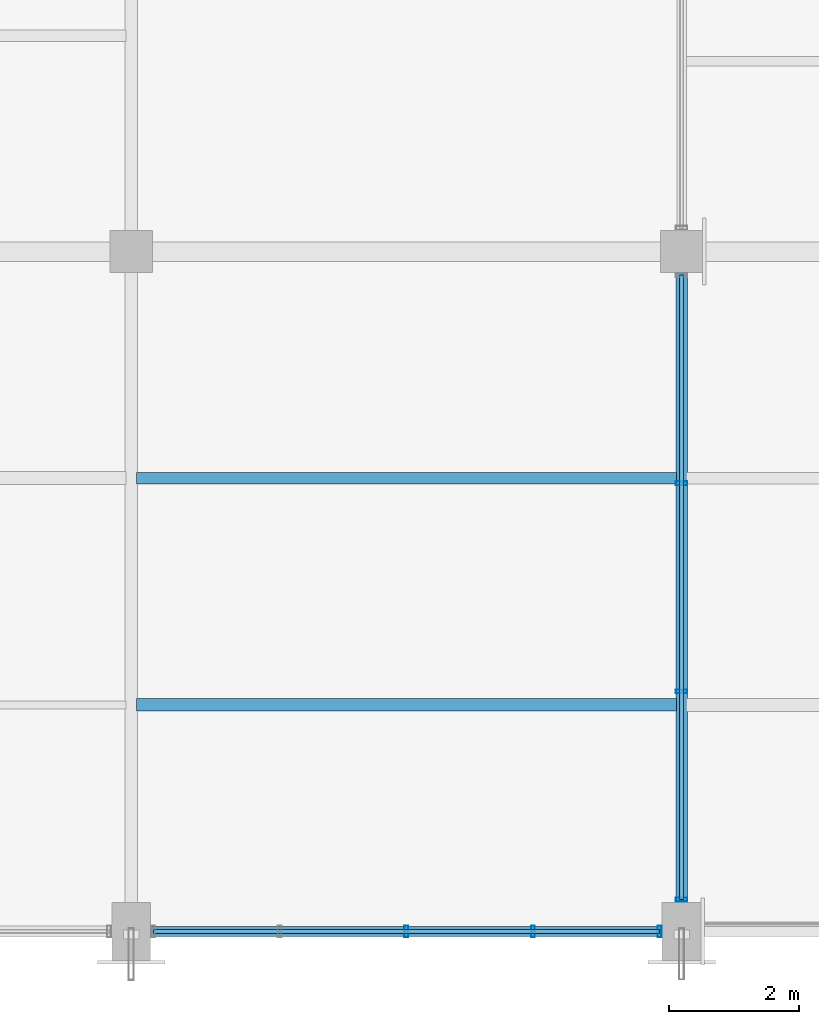
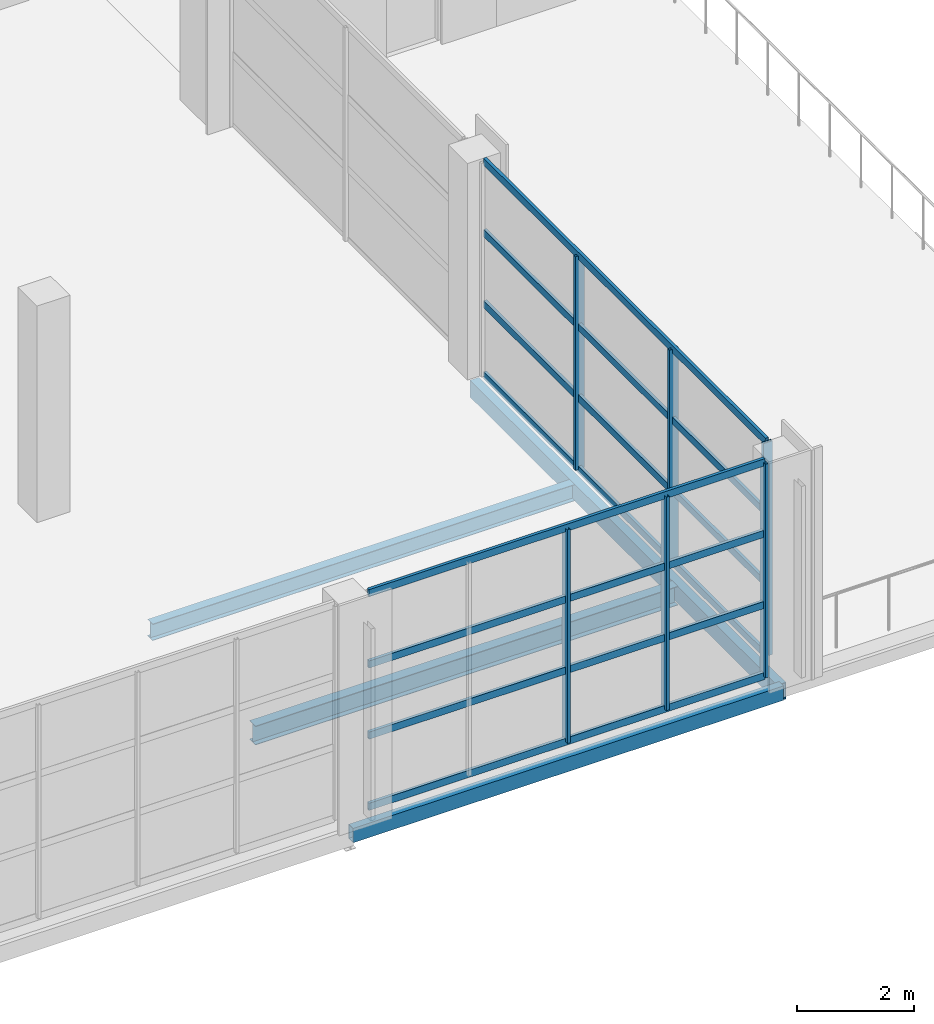
# One storey, part 31 of 86: 14 members, 4 beams, 2 elements without a shape of their own.
"""IFC4 building model written with IfcOpenShell, lengths in metres."""

from ifc_helpers import new_model, si_unit, direction, frame, origin, origin_2d, place, context, subcontext, project, spatial, hollow_rectangle, i_section, extrude, material, material_profile, profile_set, type_object, element, aggregate, save


model = new_model("IFC4")

# Units and contexts
model_context = context("Model", 3, precision=1e-05, world=origin(), true_north=direction((0.0, 1.0)))
body_context = subcontext(model_context, "Body", "Model", "MODEL_VIEW")
ifc_project = project(units=[si_unit("LENGTHUNIT", "METRE"), si_unit("AREAUNIT", "SQUARE_METRE"), si_unit("VOLUMEUNIT", "CUBIC_METRE"), si_unit("PLANEANGLEUNIT", "RADIAN"), si_unit("MASSUNIT", "GRAM", prefix="KILO")], contexts=[model_context])

# Site, building, storey
site_placement = place(None, origin())
site = spatial("IfcSite", under=ifc_project, at=site_placement, CompositionType="ELEMENT")
building_placement = place(site_placement, origin())
building = spatial("IfcBuilding", under=site, at=building_placement, Name="Solvikara Media Centre", CompositionType="ELEMENT")
storey_placement = place(building_placement, frame((0.0, 0.0, 15.0)))
storey = spatial("IfcBuildingStorey", under=building, at=storey_placement, Name="L03", CompositionType="ELEMENT", Elevation=15.0)

# Beams
ifc_material_1 = material(Name="Steel S355JR", Category="steel")
ifc_material_profile_1 = material_profile(ifc_material_1, hollow_rectangle(XDim=0.175048828125, YDim=0.35009765625, WallThickness=0.010009765625, at=origin_2d()), Name="RHS 350x175x10")
ifc_profile_set_1 = profile_set([ifc_material_profile_1], Name="Steel S355JR")
beam_type_1 = type_object("IfcBeamType", Name="BM-34", PredefinedType="SPANDREL", material=ifc_profile_set_1)
beam_1_placement = place(storey_placement, frame((68.0, 0.0, -0.45703125), z_axis=(0.0, 1.0, 0.0), x_axis=(-1.0, 0.0, 0.0)))
element("IfcBeam", 1, at=beam_1_placement, inside=storey, type_object=beam_type_1, Name="B-L03-Y1276", PredefinedType="SPANDREL", context=body_context, shape_type="SweptSolid", body=[
    extrude(hollow_rectangle(XDim=0.175048828125, YDim=0.35009765625, WallThickness=0.010009765625, at=origin_2d()), origin(), (0.0, 0.0, 1.0), 10.5),
])
ifc_material_profile_2 = material_profile(ifc_material_1, hollow_rectangle(XDim=0.14990234375, YDim=0.300048828125, WallThickness=0.010009765625, at=origin_2d()), Name="RHS 300x150x10")
ifc_profile_set_2 = profile_set([ifc_material_profile_2], Name="Steel S355JR")
beam_type_2 = type_object("IfcBeamType", Name="BM-35", PredefinedType="BEAM", material=ifc_profile_set_2)
beam_2_placement = place(storey_placement, frame((59.5, 0.0, -0.431884765625), z_axis=(1.0, 0.0, 0.0), x_axis=(0.0, 1.0, 0.0)))
element("IfcBeam", 2, at=beam_2_placement, inside=storey, type_object=beam_type_2, Name="B-L03-X1157", PredefinedType="BEAM", context=body_context, shape_type="SweptSolid", body=[
    extrude(hollow_rectangle(XDim=0.14990234375, YDim=0.300048828125, WallThickness=0.010009765625, at=origin_2d()), origin(), (0.0, 0.0, 1.0), 8.5),
])
ifc_material_profile_3 = material_profile(ifc_material_1, i_section(OverallWidth=0.198974609375, OverallDepth=0.39599609375, WebThickness=0.007080078125, FlangeThickness=0.010986328125, at=origin_2d()), Name="WF 396x199x7x11")
ifc_profile_set_3 = profile_set([ifc_material_profile_3], Name="Steel S355JR")
beam_type_3 = type_object("IfcBeamType", Name="BM-37", PredefinedType="JOIST", material=ifc_profile_set_3)
beam_3_placement = place(storey_placement, frame((59.577880859375, 3.5, -0.47998046875), z_axis=(1.0, 0.0, 0.0), x_axis=(0.0, 1.0, 0.0)))
element("IfcBeam", 3, at=beam_3_placement, inside=storey, type_object=beam_type_3, Name="J-L03-1397", PredefinedType="JOIST", context=body_context, shape_type="SweptSolid", body=[
    extrude(i_section(OverallWidth=0.198974609375, OverallDepth=0.39599609375, WebThickness=0.007080078125, FlangeThickness=0.010986328125, at=origin_2d()), origin(), (0.0, 0.0, 1.0), 8.34423828125),
])
ifc_material_profile_4 = material_profile(ifc_material_1, i_section(OverallWidth=0.174072265625, OverallDepth=0.345947265625, WebThickness=0.006103515625, FlangeThickness=0.009033203125, at=origin_2d()), Name="WF 346x174x6x9")
ifc_profile_set_4 = profile_set([ifc_material_profile_4], Name="Steel S355JR")
beam_type_4 = type_object("IfcBeamType", Name="BM-38", PredefinedType="JOIST", material=ifc_profile_set_4)
beam_4_placement = place(storey_placement, frame((59.577880859375, 7.0, -0.455078125), z_axis=(1.0, 0.0, 0.0), x_axis=(0.0, 1.0, 0.0)))
element("IfcBeam", 4, at=beam_4_placement, inside=storey, type_object=beam_type_4, Name="J-L03-1398", PredefinedType="JOIST", context=body_context, shape_type="SweptSolid", body=[
    extrude(i_section(OverallWidth=0.174072265625, OverallDepth=0.345947265625, WebThickness=0.006103515625, FlangeThickness=0.009033203125, at=origin_2d()), origin(), (0.0, 0.0, 1.0), 8.34423828125),
])

# Curtain wall, members
ifc_material_2 = material(Name="Anodised aluminium EN AW-6063", Category="aluminium")
curtain_wall_type_1 = type_object("IfcCurtainWallType", Name="CW-04", PredefinedType="NOTDEFINED", material=ifc_material_2)
curtain_wall_1_placement = place(storey_placement, origin())
curtain_wall_1 = element("IfcCurtainWall", 5, at=curtain_wall_1_placement, inside=storey, type_object=curtain_wall_type_1, Name="CW-L03-V6S-4", PredefinedType="NOTDEFINED")
ifc_material_profile_5 = material_profile(ifc_material_2, hollow_rectangle(XDim=0.06005859375, YDim=0.179931640625, WallThickness=0.00341796875, at=origin_2d()), Name="ALU-M 60x180x3.5")
ifc_profile_set_5 = profile_set([ifc_material_profile_5], Name="Anodised aluminium EN AW-6063")
member_type_1 = type_object("IfcMemberType", Name="MF-03", PredefinedType="MULLION", material=ifc_profile_set_5)
member_1_placement = place(storey_placement, frame((63.75, 0.0, 0.02001953125), z_axis=(0.0, 0.0, 1.0), x_axis=(1.0, 0.0, 0.0)))
member_1 = element("IfcMember", 6, at=member_1_placement, type_object=member_type_1, Name="CW-L03-V6S-4-M02", PredefinedType="MULLION", context=body_context, shape_type="SweptSolid", body=[
    extrude(hollow_rectangle(XDim=0.06005859375, YDim=0.179931640625, WallThickness=0.00341796875, at=origin_2d()), origin(), (0.0, 0.0, 1.0), 4.4599609375),
])
member_2_placement = place(storey_placement, frame((65.705078125, 0.0, 0.02001953125), z_axis=(0.0, 0.0, 1.0), x_axis=(1.0, 0.0, 0.0)))
member_2 = element("IfcMember", 7, at=member_2_placement, type_object=member_type_1, Name="CW-L03-V6S-4-M03", PredefinedType="MULLION", context=body_context, shape_type="SweptSolid", body=[
    extrude(hollow_rectangle(XDim=0.06005859375, YDim=0.179931640625, WallThickness=0.00341796875, at=origin_2d()), origin(), (0.0, 0.0, 1.0), 4.4599609375),
])
member_3_placement = place(storey_placement, frame((67.659912109375, 0.0, 0.02001953125), z_axis=(0.0, 0.0, 1.0), x_axis=(1.0, 0.0, 0.0)))
member_3 = element("IfcMember", 8, at=member_3_placement, type_object=member_type_1, Name="CW-L03-V6S-4-M04", PredefinedType="MULLION", context=body_context, shape_type="SweptSolid", body=[
    extrude(hollow_rectangle(XDim=0.06005859375, YDim=0.179931640625, WallThickness=0.00341796875, at=origin_2d()), origin(), (0.0, 0.0, 1.0), 4.4599609375),
])

curtain_wall_type_2 = type_object("IfcCurtainWallType", Name="CW-16", PredefinedType="NOTDEFINED", material=ifc_material_2)
curtain_wall_2_placement = place(storey_placement, origin())
curtain_wall_2 = element("IfcCurtainWall", 9, at=curtain_wall_2_placement, inside=storey, type_object=curtain_wall_type_2, Name="CW-L03-V6E-S1", PredefinedType="NOTDEFINED")
member_4_placement = place(storey_placement, frame((68.0, 0.489990234375, 0.02001953125), z_axis=(0.0, 0.0, 1.0), x_axis=(0.0, 1.0, 0.0)))
member_4 = element("IfcMember", 10, at=member_4_placement, type_object=member_type_1, Name="CW-L03-V6E-S1-M00", PredefinedType="MULLION", context=body_context, shape_type="SweptSolid", body=[
    extrude(hollow_rectangle(XDim=0.06005859375, YDim=0.179931640625, WallThickness=0.00341796875, at=origin_2d()), origin(), (0.0, 0.0, 1.0), 4.4599609375),
])
member_5_placement = place(storey_placement, frame((68.0, 3.705078125, 0.02001953125), z_axis=(0.0, 0.0, 1.0), x_axis=(0.0, 1.0, 0.0)))
member_5 = element("IfcMember", 11, at=member_5_placement, type_object=member_type_1, Name="CW-L03-V6E-S1-M01", PredefinedType="MULLION", context=body_context, shape_type="SweptSolid", body=[
    extrude(hollow_rectangle(XDim=0.06005859375, YDim=0.179931640625, WallThickness=0.00341796875, at=origin_2d()), origin(), (0.0, 0.0, 1.0), 4.4599609375),
])
member_6_placement = place(storey_placement, frame((68.0, 6.919921875, 0.02001953125), z_axis=(0.0, 0.0, 1.0), x_axis=(0.0, 1.0, 0.0)))
member_6 = element("IfcMember", 12, at=member_6_placement, type_object=member_type_1, Name="CW-L03-V6E-S1-M02", PredefinedType="MULLION", context=body_context, shape_type="SweptSolid", body=[
    extrude(hollow_rectangle(XDim=0.06005859375, YDim=0.179931640625, WallThickness=0.00341796875, at=origin_2d()), origin(), (0.0, 0.0, 1.0), 4.4599609375),
])

# Member
ifc_material_profile_6 = material_profile(ifc_material_2, hollow_rectangle(XDim=0.06005859375, YDim=0.14990234375, WallThickness=0.0029296875, at=origin_2d()), Name="ALU-T 60x150x3")
ifc_profile_set_6 = profile_set([ifc_material_profile_6], Name="Anodised aluminium EN AW-6063")
member_type_2 = type_object("IfcMemberType", Name="MF-09", PredefinedType="USERDEFINED", material=ifc_profile_set_6)
member_7_placement = place(storey_placement, frame((59.840087890625, 0.0, 0.02001953125), z_axis=(1.0, 0.0, 0.0), x_axis=(0.0, 1.0, 0.0)))
member_7 = element("IfcMember", 13, at=member_7_placement, type_object=member_type_2, Name="CW-L03-V6S-4-T00", ObjectType="TRANSOM", PredefinedType="USERDEFINED", context=body_context, shape_type="SweptSolid", body=[
    extrude(hollow_rectangle(XDim=0.06005859375, YDim=0.14990234375, WallThickness=0.0029296875, at=origin_2d()), origin(), (0.0, 0.0, 1.0), 7.81982421875),
])

member_8_placement = place(storey_placement, frame((59.840087890625, 0.0, 1.507080078125), z_axis=(1.0, 0.0, 0.0), x_axis=(0.0, 1.0, 0.0)))
member_8 = element("IfcMember", 14, at=member_8_placement, type_object=member_type_2, Name="CW-L03-V6S-4-T01", ObjectType="TRANSOM", PredefinedType="USERDEFINED", context=body_context, shape_type="SweptSolid", body=[
    extrude(hollow_rectangle(XDim=0.06005859375, YDim=0.14990234375, WallThickness=0.0029296875, at=origin_2d()), origin(), (0.0, 0.0, 1.0), 7.81982421875),
])

member_9_placement = place(storey_placement, frame((59.840087890625, 0.0, 2.992919921875), z_axis=(1.0, 0.0, 0.0), x_axis=(0.0, 1.0, 0.0)))
member_9 = element("IfcMember", 15, at=member_9_placement, type_object=member_type_2, Name="CW-L03-V6S-4-T02", ObjectType="TRANSOM", PredefinedType="USERDEFINED", context=body_context, shape_type="SweptSolid", body=[
    extrude(hollow_rectangle(XDim=0.06005859375, YDim=0.14990234375, WallThickness=0.0029296875, at=origin_2d()), origin(), (0.0, 0.0, 1.0), 7.81982421875),
])

member_10_placement = place(storey_placement, frame((59.840087890625, 0.0, 4.47998046875), z_axis=(1.0, 0.0, 0.0), x_axis=(0.0, 1.0, 0.0)))
member_10 = element("IfcMember", 16, at=member_10_placement, type_object=member_type_2, Name="CW-L03-V6S-4-T03", ObjectType="TRANSOM", PredefinedType="USERDEFINED", context=body_context, shape_type="SweptSolid", body=[
    extrude(hollow_rectangle(XDim=0.06005859375, YDim=0.14990234375, WallThickness=0.0029296875, at=origin_2d()), origin(), (0.0, 0.0, 1.0), 7.81982421875),
])

aggregate(curtain_wall_1, [member_1, member_2, member_3, member_7, member_8, member_9, member_10])

member_11_placement = place(storey_placement, frame((68.0, 0.489990234375, 0.02001953125), z_axis=(0.0, 1.0, 0.0), x_axis=(-1.0, 0.0, 0.0)))
member_11 = element("IfcMember", 17, at=member_11_placement, type_object=member_type_2, Name="CW-L03-V6E-S1-T00", ObjectType="TRANSOM", PredefinedType="USERDEFINED", context=body_context, shape_type="SweptSolid", body=[
    extrude(hollow_rectangle(XDim=0.06005859375, YDim=0.14990234375, WallThickness=0.0029296875, at=origin_2d()), origin(), (0.0, 0.0, 1.0), 9.64501953125),
])

member_12_placement = place(storey_placement, frame((68.0, 0.489990234375, 1.507080078125), z_axis=(0.0, 1.0, 0.0), x_axis=(-1.0, 0.0, 0.0)))
member_12 = element("IfcMember", 18, at=member_12_placement, type_object=member_type_2, Name="CW-L03-V6E-S1-T01", ObjectType="TRANSOM", PredefinedType="USERDEFINED", context=body_context, shape_type="SweptSolid", body=[
    extrude(hollow_rectangle(XDim=0.06005859375, YDim=0.14990234375, WallThickness=0.0029296875, at=origin_2d()), origin(), (0.0, 0.0, 1.0), 9.64501953125),
])

member_13_placement = place(storey_placement, frame((68.0, 0.489990234375, 2.992919921875), z_axis=(0.0, 1.0, 0.0), x_axis=(-1.0, 0.0, 0.0)))
member_13 = element("IfcMember", 19, at=member_13_placement, type_object=member_type_2, Name="CW-L03-V6E-S1-T02", ObjectType="TRANSOM", PredefinedType="USERDEFINED", context=body_context, shape_type="SweptSolid", body=[
    extrude(hollow_rectangle(XDim=0.06005859375, YDim=0.14990234375, WallThickness=0.0029296875, at=origin_2d()), origin(), (0.0, 0.0, 1.0), 9.64501953125),
])

member_14_placement = place(storey_placement, frame((68.0, 0.489990234375, 4.47998046875), z_axis=(0.0, 1.0, 0.0), x_axis=(-1.0, 0.0, 0.0)))
member_14 = element("IfcMember", 20, at=member_14_placement, type_object=member_type_2, Name="CW-L03-V6E-S1-T03", ObjectType="TRANSOM", PredefinedType="USERDEFINED", context=body_context, shape_type="SweptSolid", body=[
    extrude(hollow_rectangle(XDim=0.06005859375, YDim=0.14990234375, WallThickness=0.0029296875, at=origin_2d()), origin(), (0.0, 0.0, 1.0), 9.64501953125),
])

aggregate(curtain_wall_2, [member_4, member_5, member_6, member_11, member_12, member_13, member_14])

save(model, "model.ifc")
